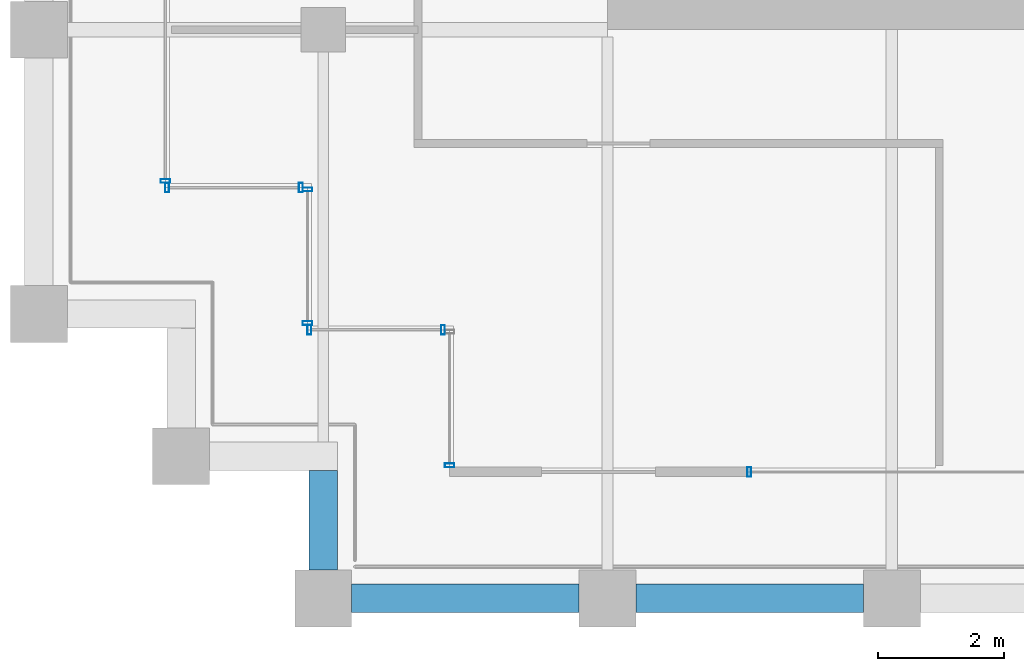
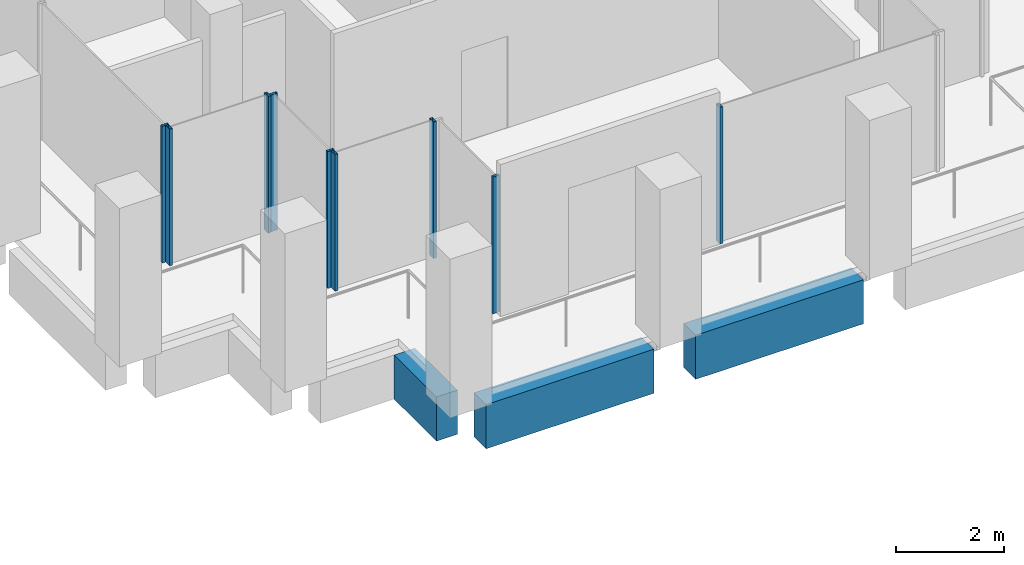
# One storey, part 28 of 40: 9 members, 3 beams, 6 elements without a shape of their own.
"""IFC4 building model written with IfcOpenShell, lengths in metres."""

from ifc_helpers import new_model, si_unit, direction, frame, origin, origin_2d, place, context, subcontext, project, spatial, rectangle, hollow_rectangle, extrude, material, material_profile, profile_set, type_object, element, aggregate, save


model = new_model("IFC4")

# Units and contexts
model_context = context("Model", 3, precision=1e-05, world=origin(), true_north=direction((0.0, 1.0)))
body_context = subcontext(model_context, "Body", "Model", "MODEL_VIEW")
ifc_project = project(units=[si_unit("LENGTHUNIT", "METRE"), si_unit("AREAUNIT", "SQUARE_METRE"), si_unit("VOLUMEUNIT", "CUBIC_METRE"), si_unit("PLANEANGLEUNIT", "RADIAN"), si_unit("MASSUNIT", "GRAM", prefix="KILO")], contexts=[model_context])

# Site, building, storey
site_placement = place(None, origin())
site = spatial("IfcSite", under=ifc_project, at=site_placement, CompositionType="ELEMENT")
building_placement = place(site_placement, origin())
building = spatial("IfcBuilding", under=site, at=building_placement, Name="Altepetl Exchange Towers", CompositionType="ELEMENT")
storey_placement = place(building_placement, frame((0.0, 0.0, 165.39990234375)))
storey = spatial("IfcBuildingStorey", under=building, at=storey_placement, Name="L41", CompositionType="ELEMENT", Elevation=165.39990234375)

# Curtain wall, member
ifc_material_1 = material(Name="Aluminium 6063-T6 glazing", Category="aluminium")
curtain_wall_type = type_object("IfcCurtainWallType", Name="Loggia glazing system", PredefinedType="NOTDEFINED", material=ifc_material_1)
curtain_wall_1_placement = place(storey_placement, origin())
curtain_wall_1 = element("IfcCurtainWall", 1, at=curtain_wall_1_placement, inside=storey, type_object=curtain_wall_type, Name="CW1 run", PredefinedType="NOTDEFINED")
ifc_material_2 = material(Name="Aluminium 6063-T6", Category="aluminium")
ifc_material_profile_1 = material_profile(ifc_material_2, hollow_rectangle(XDim=0.06005859375, YDim=0.14990234375, WallThickness=0.0029296875, at=origin_2d()), Name="Mullion 60x150 aluminium")
ifc_profile_set_1 = profile_set([ifc_material_profile_1], Name="Aluminium 6063-T6")
member_type = type_object("IfcMemberType", Name="Mullion 60x150 aluminium", PredefinedType="MULLION", material=ifc_profile_set_1)
member_1_placement = place(storey_placement, frame((101.0, 29.10498046875, 0.0), z_axis=(0.0, 0.0, 1.0), x_axis=(0.0, -1.0, 0.0)))
member_1 = element("IfcMember", 2, at=member_1_placement, type_object=member_type, Name="MU1 mullion", PredefinedType="MULLION", context=body_context, shape_type="SweptSolid", body=[
    extrude(hollow_rectangle(XDim=0.06005859375, YDim=0.14990234375, WallThickness=0.0029296875, at=origin_2d()), origin(), (0.0, 0.0, 1.0), 3.10009765625),
])
aggregate(curtain_wall_1, [member_1])

curtain_wall_2_placement = place(storey_placement, origin())
curtain_wall_2 = element("IfcCurtainWall", 3, at=curtain_wall_2_placement, inside=storey, type_object=curtain_wall_type, Name="CW1 run", PredefinedType="NOTDEFINED")
member_2_placement = place(storey_placement, frame((105.742431640625, 29.0, 0.0)))
member_2 = element("IfcMember", 4, at=member_2_placement, type_object=member_type, Name="MU1 mullion", PredefinedType="MULLION", context=body_context, shape_type="SweptSolid", body=[
    extrude(hollow_rectangle(XDim=0.06005859375, YDim=0.14990234375, WallThickness=0.0029296875, at=origin_2d()), origin(), (0.0, 0.0, 1.0), 3.10009765625),
])
aggregate(curtain_wall_2, [member_2])

curtain_wall_3_placement = place(storey_placement, origin())
curtain_wall_3 = element("IfcCurtainWall", 5, at=curtain_wall_3_placement, inside=storey, type_object=curtain_wall_type, Name="CW1 run", PredefinedType="NOTDEFINED")
member_3_placement = place(storey_placement, frame((96.5, 33.60498046875, 0.0), z_axis=(0.0, 0.0, 1.0), x_axis=(0.0, -1.0, 0.0)))
member_3 = element("IfcMember", 6, at=member_3_placement, type_object=member_type, Name="MU1 mullion", PredefinedType="MULLION", context=body_context, shape_type="SweptSolid", body=[
    extrude(hollow_rectangle(XDim=0.06005859375, YDim=0.14990234375, WallThickness=0.0029296875, at=origin_2d()), origin(), (0.0, 0.0, 1.0), 3.10009765625),
])
aggregate(curtain_wall_3, [member_3])

# Curtain wall, members
curtain_wall_4_placement = place(storey_placement, origin())
curtain_wall_4 = element("IfcCurtainWall", 7, at=curtain_wall_4_placement, inside=storey, type_object=curtain_wall_type, Name="CW1 run", PredefinedType="NOTDEFINED")
member_4_placement = place(storey_placement, frame((96.530029296875, 33.5, 0.0)))
member_4 = element("IfcMember", 8, at=member_4_placement, type_object=member_type, Name="MU1 mullion", PredefinedType="MULLION", context=body_context, shape_type="SweptSolid", body=[
    extrude(hollow_rectangle(XDim=0.06005859375, YDim=0.14990234375, WallThickness=0.0029296875, at=origin_2d()), origin(), (0.0, 0.0, 1.0), 3.10009765625),
])
member_5_placement = place(storey_placement, frame((98.64501953125, 33.5, 0.0)))
member_5 = element("IfcMember", 9, at=member_5_placement, type_object=member_type, Name="MU1 mullion", PredefinedType="MULLION", context=body_context, shape_type="SweptSolid", body=[
    extrude(hollow_rectangle(XDim=0.06005859375, YDim=0.14990234375, WallThickness=0.0029296875, at=origin_2d()), origin(), (0.0, 0.0, 1.0), 3.10009765625),
])
aggregate(curtain_wall_4, [member_4, member_5])

curtain_wall_5_placement = place(storey_placement, origin())
curtain_wall_5 = element("IfcCurtainWall", 10, at=curtain_wall_5_placement, inside=storey, type_object=curtain_wall_type, Name="CW1 run", PredefinedType="NOTDEFINED")
member_6_placement = place(storey_placement, frame((98.75, 33.469970703125, 0.0), z_axis=(0.0, 0.0, 1.0), x_axis=(0.0, -1.0, 0.0)))
member_6 = element("IfcMember", 11, at=member_6_placement, type_object=member_type, Name="MU1 mullion", PredefinedType="MULLION", context=body_context, shape_type="SweptSolid", body=[
    extrude(hollow_rectangle(XDim=0.06005859375, YDim=0.14990234375, WallThickness=0.0029296875, at=origin_2d()), origin(), (0.0, 0.0, 1.0), 3.10009765625),
])
member_7_placement = place(storey_placement, frame((98.75, 31.35498046875, 0.0), z_axis=(0.0, 0.0, 1.0), x_axis=(0.0, -1.0, 0.0)))
member_7 = element("IfcMember", 12, at=member_7_placement, type_object=member_type, Name="MU1 mullion", PredefinedType="MULLION", context=body_context, shape_type="SweptSolid", body=[
    extrude(hollow_rectangle(XDim=0.06005859375, YDim=0.14990234375, WallThickness=0.0029296875, at=origin_2d()), origin(), (0.0, 0.0, 1.0), 3.10009765625),
])
aggregate(curtain_wall_5, [member_6, member_7])

curtain_wall_6_placement = place(storey_placement, origin())
curtain_wall_6 = element("IfcCurtainWall", 13, at=curtain_wall_6_placement, inside=storey, type_object=curtain_wall_type, Name="CW1 run", PredefinedType="NOTDEFINED")
member_8_placement = place(storey_placement, frame((98.780029296875, 31.25, 0.0)))
member_8 = element("IfcMember", 14, at=member_8_placement, type_object=member_type, Name="MU1 mullion", PredefinedType="MULLION", context=body_context, shape_type="SweptSolid", body=[
    extrude(hollow_rectangle(XDim=0.06005859375, YDim=0.14990234375, WallThickness=0.0029296875, at=origin_2d()), origin(), (0.0, 0.0, 1.0), 3.10009765625),
])
member_9_placement = place(storey_placement, frame((100.89501953125, 31.25, 0.0)))
member_9 = element("IfcMember", 15, at=member_9_placement, type_object=member_type, Name="MU1 mullion", PredefinedType="MULLION", context=body_context, shape_type="SweptSolid", body=[
    extrude(hollow_rectangle(XDim=0.06005859375, YDim=0.14990234375, WallThickness=0.0029296875, at=origin_2d()), origin(), (0.0, 0.0, 1.0), 3.10009765625),
])
aggregate(curtain_wall_6, [member_8, member_9])

# Beams
ifc_material_3 = material(Name="Concrete C50/60 precast with tezontle facing", Category="concrete")
ifc_material_profile_2 = material_profile(ifc_material_3, rectangle(XDim=0.449951171875, YDim=1.0, at=origin_2d()), Name="450 x 1000")
ifc_profile_set_2 = profile_set([ifc_material_profile_2], Name="Concrete C50/60 precast with tezontle facing")
beam_type = type_object("IfcBeamType", Name="Spandrel beam 450x1000 tezontle", PredefinedType="SPANDREL", material=ifc_profile_set_2)
for number, where, z_axis, x_axis, name in (
    (16, (99.449951171875, 27.0, -0.64990234375), (1.0, 0.0, 0.0), (0.0, 1.0, 0.0), "sp:B:L41:000"),
    (17, (103.949951171875, 27.0, -0.64990234375), (1.0, 0.0, 0.0), (0.0, 1.0, 0.0), "sp:B:L41:001"),
):
    element("IfcBeam", number, at=place(storey_placement, frame(where, z_axis=z_axis, x_axis=x_axis)), inside=storey, type_object=beam_type, Name=name, PredefinedType="SPANDREL", context=body_context, shape_type="SweptSolid", body=[
        extrude(rectangle(XDim=0.449951171875, YDim=1.0, at=origin_2d()), origin(), (0.0, 0.0, 1.0), 3.60009765625),
    ])
beam_placement = place(storey_placement, frame((99.0, 29.02490234375, -0.64990234375), z_axis=(0.0, -1.0, 0.0), x_axis=(1.0, 0.0, 0.0)))
element("IfcBeam", 18, at=beam_placement, inside=storey, type_object=beam_type, Name="sp:B:L41:023", PredefinedType="SPANDREL", context=body_context, shape_type="SweptSolid", body=[
    extrude(rectangle(XDim=0.449951171875, YDim=1.0, at=origin_2d()), origin(), (0.0, 0.0, 1.0), 1.574951171875),
])

save(model, "model.ifc")
